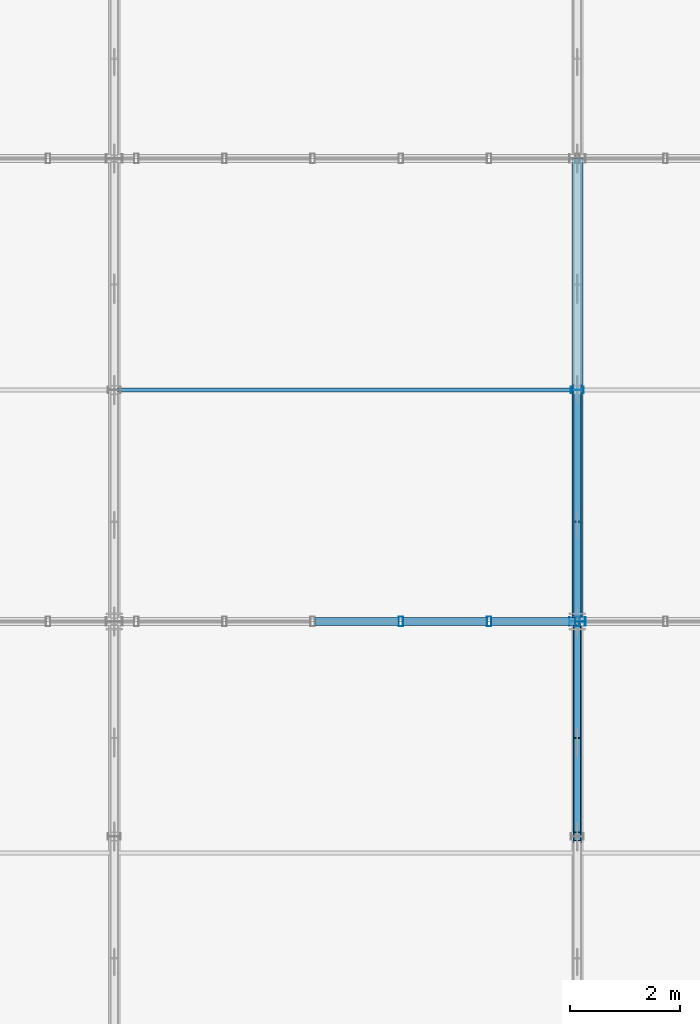
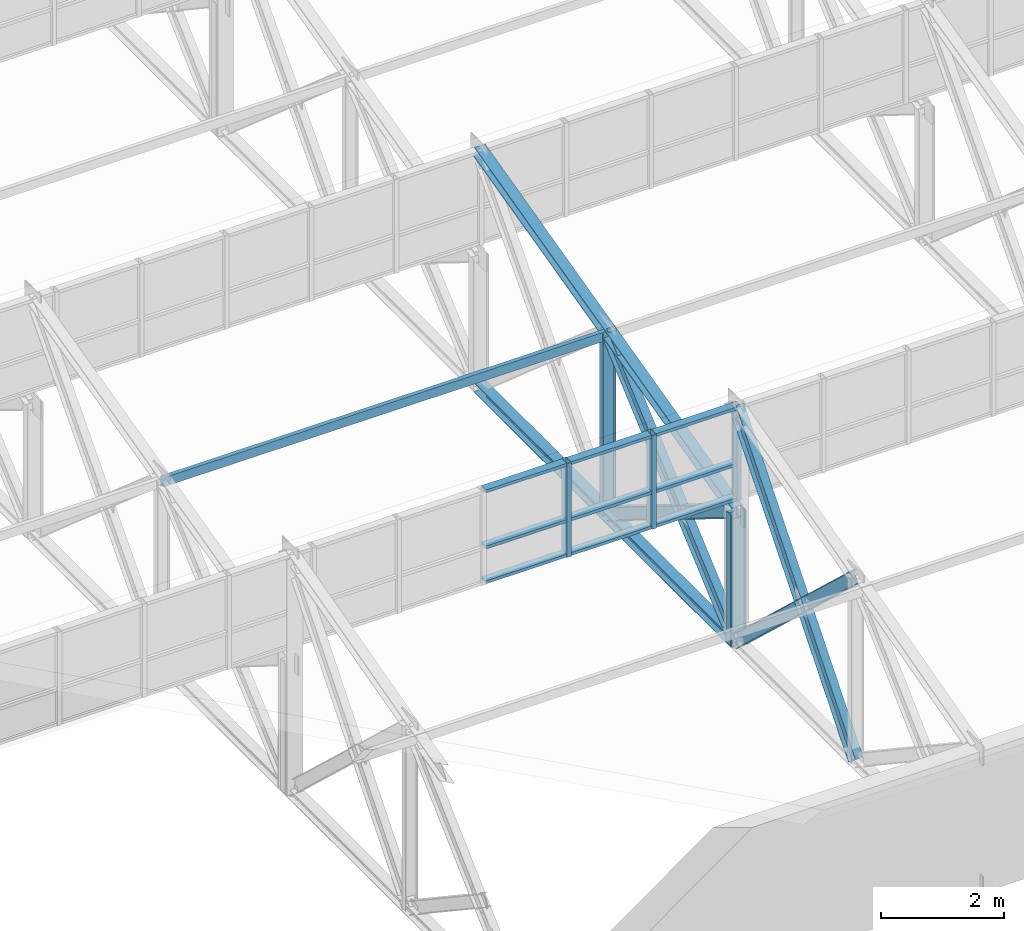
# One storey, part 69 of 123: 23 members, 1 element without a shape of its own.
"""IFC4 building model written with IfcOpenShell, lengths in metres."""

import ifcopenshell
import ifcopenshell.guid

model = None  # the IFC model being written
_history = None  # IfcOwnerHistory: only IFC2X3 demands one
_inside = {}  # id of a spatial element -> (the spatial element, [elements in it])
_under = {}  # id of a project, library or spatial element -> (it, [spatial elements below it])
_declared = {}  # id of a project -> (the project, [libraries it declares])
_typed = {}  # id of a type object -> (the type object, [elements of that type])
_made_of = {}  # id of a material, layer set ... -> (it, [elements and type objects made of it])


def new_model(schema):
    """Start an empty IFC model of exactly this schema.

    Asked for "IFC4X3", IfcOpenShell would pick the latest addendum, in which some entities
    have other attributes; the version numbers below select the first issue.
    IFC2X3 requires an IfcOwnerHistory on every rooted entity: one is made here for all.
    """
    global model, _history
    if schema == "IFC4X3":
        model = ifcopenshell.file(schema_version=(4, 3, 0, 0))
    else:
        model = ifcopenshell.file(schema=schema)
    _inside.clear()
    _under.clear()
    _declared.clear()
    _typed.clear()
    _made_of.clear()
    _history = None
    if model.schema == "IFC2X3":
        org = make("IfcOrganization", Name="unknown")
        user = make(
            "IfcPersonAndOrganization",
            ThePerson=make("IfcPerson", FamilyName="unknown"),
            TheOrganization=org,
        )
        app = make(
            "IfcApplication",
            ApplicationDeveloper=org,
            Version="unknown",
            ApplicationFullName="unknown",
            ApplicationIdentifier="unknown",
        )
        _history = make(
            "IfcOwnerHistory",
            OwningUser=user,
            OwningApplication=app,
            ChangeAction="ADDED",
            CreationDate=0,
        )
    return model


def make(cls, **values):
    """One entity of the class cls with the attributes given. An attribute that is None is left unset."""
    return model.create_entity(
        cls, **{name: value for name, value in values.items() if value is not None}
    )


def rooted(cls, **values):
    """An entity with a GlobalId (a new one), such as an element, a storey or a relation."""
    return make(cls, GlobalId=ifcopenshell.guid.new(), OwnerHistory=_history, **values)


def si_unit(unit_type, name, prefix=None):
    """IfcSIUnit, for example si_unit("LENGTHUNIT", "METRE", prefix="MILLI")."""
    return make("IfcSIUnit", UnitType=unit_type, Prefix=prefix, Name=name)


def assignment(units):
    """IfcUnitAssignment: the units of a project."""
    return None if units is None else make("IfcUnitAssignment", Units=units)


def point(xyz):
    """IfcCartesianPoint."""
    return None if xyz is None else make("IfcCartesianPoint", Coordinates=xyz)


def direction(xyz):
    """IfcDirection."""
    return None if xyz is None else make("IfcDirection", DirectionRatios=xyz)


def frame(location, z_axis=None, x_axis=None):
    """IfcAxis2Placement3D, a coordinate frame: its origin and axes. An axis left out is left unset."""
    return make(
        "IfcAxis2Placement3D",
        Location=point(location),
        Axis=direction(z_axis),
        RefDirection=direction(x_axis),
    )


def frame_2d(location, x_axis=None):
    """IfcAxis2Placement2D, a coordinate frame in the plane: its origin and x axis."""
    return make(
        "IfcAxis2Placement2D", Location=point(location), RefDirection=direction(x_axis)
    )


def origin():
    """The frame at (0, 0, 0) with its axes left unset."""
    return frame((0.0, 0.0, 0.0))


def origin_2d():
    """The frame at (0, 0) in the plane with its x axis left unset."""
    return frame_2d((0.0, 0.0))


def place(relative_to, where):
    """IfcLocalPlacement: puts the frame where relative to a parent placement (None: the world)."""
    return make(
        "IfcLocalPlacement", PlacementRelTo=relative_to, RelativePlacement=where
    )


def context(
    kind, dimensions, precision=None, world=None, true_north=None, identifier=None
):
    """IfcGeometricRepresentationContext, for example the 3D "Model" context."""
    return make(
        "IfcGeometricRepresentationContext",
        ContextIdentifier=identifier,
        ContextType=kind,
        CoordinateSpaceDimension=dimensions,
        Precision=precision,
        WorldCoordinateSystem=world,
        TrueNorth=true_north,
    )


def subcontext(parent, identifier, kind, view, scale=None):
    """IfcGeometricRepresentationSubContext, for example "Body" below "Model"."""
    return make(
        "IfcGeometricRepresentationSubContext",
        ContextIdentifier=identifier,
        ContextType=kind,
        ParentContext=parent,
        TargetScale=scale,
        TargetView=view,
    )


def project(units=None, contexts=None):
    """IfcProject with its units and contexts."""
    return rooted(
        "IfcProject",
        Name="project",
        RepresentationContexts=contexts,
        UnitsInContext=assignment(units),
    )


def spatial(cls, under=None, at=None, **own):
    """A site, building, storey or space (cls), placed at a placement, below another one or the project."""
    s = rooted(cls, ObjectPlacement=at, **own)
    if under is not None:
        _under.setdefault(under.id(), (under, []))[1].append(s)
    return s


def profile(cls, at=None, kind="AREA", **sizes):
    """A parametric profile (cls). Its sizes go by their IFC names, for example OverallWidth=200.0."""
    return make(cls, ProfileType=kind, Position=at, **sizes)


def hollow_rectangle(**sizes):
    """IfcRectangleHollowProfileDef."""
    return profile("IfcRectangleHollowProfileDef", **sizes)


def i_section(**sizes):
    """IfcIShapeProfileDef."""
    return profile("IfcIShapeProfileDef", **sizes)


def extrude(swept, where, along, depth):
    """IfcExtrudedAreaSolid: the profile swept, set in the frame where, extruded along a direction by depth."""
    return make(
        "IfcExtrudedAreaSolid",
        SweptArea=swept,
        Position=where,
        ExtrudedDirection=direction(along),
        Depth=depth,
    )


def shape(context_of_items, identifier, shape_type, items):
    """IfcShapeRepresentation: the items that make up one representation, for example the "Body"."""
    return make(
        "IfcShapeRepresentation",
        ContextOfItems=context_of_items,
        RepresentationIdentifier=identifier,
        RepresentationType=shape_type,
        Items=items,
    )


def material(Name=None, Category=None):
    """IfcMaterial."""
    return make("IfcMaterial", Name=Name, Category=Category)


def layer(
    of_material, thickness, ventilated=None, Name=None, Category=None, Priority=None
):
    """IfcMaterialLayer: one layer of a wall or slab, of a material (None: an air gap)."""
    return make(
        "IfcMaterialLayer",
        Material=of_material,
        LayerThickness=thickness,
        IsVentilated=ventilated,
        Name=Name,
        Category=Category,
        Priority=Priority,
    )


def layer_set(layers, Name=None):
    """IfcMaterialLayerSet."""
    return make("IfcMaterialLayerSet", MaterialLayers=layers, LayerSetName=Name)


def material_profile(
    of_material, cross_section, Name=None, Category=None, Priority=None
):
    """IfcMaterialProfile: a cross section and its material."""
    return make(
        "IfcMaterialProfile",
        Name=Name,
        Material=of_material,
        Profile=cross_section,
        Priority=Priority,
        Category=Category,
    )


def profile_set(profiles, Name=None, composite=None):
    """IfcMaterialProfileSet."""
    return make(
        "IfcMaterialProfileSet",
        Name=Name,
        MaterialProfiles=profiles,
        CompositeProfile=composite,
    )


def made_of(thing, what):
    """Note that an element or type object is made of a material, layer set ...; save() writes the relation."""
    if what is not None:
        _made_of.setdefault(what.id(), (what, []))[1].append(thing)
    return thing


def type_object(cls, material=None, **own):
    """A type object (cls), such as IfcWallType, which elements share."""
    return made_of(rooted(cls, **own), material)


def element(
    cls,
    number,
    at=None,
    inside=None,
    cuts=None,
    type_object=None,
    material=None,
    context=None,
    identifier="Body",
    shape_type=None,
    held_by="IfcProductDefinitionShape",
    body=None,
    shapes=None,
    **own,
):
    """One element of the class cls, such as IfcWall. Its Tag is "e" and its number.

    at: its placement. inside: the storey or other place that contains it. cuts: it is an
    opening in that element (IfcRelVoidsElement). A single representation is given by context,
    identifier, shape_type and body (its items); several are given by shapes. held_by: the class
    of the entity that holds the representations. save() writes the other relations.
    """
    e = rooted(cls, Tag="e%d" % number, ObjectPlacement=at, **own)
    if body is not None:
        shapes = [shape(context, identifier, shape_type, body)]
    if shapes is not None:
        e.Representation = make(held_by, Representations=shapes)
    if inside is not None:
        _inside.setdefault(inside.id(), (inside, []))[1].append(e)
    if cuts is not None:
        rooted(
            "IfcRelVoidsElement", RelatingBuildingElement=cuts, RelatedOpeningElement=e
        )
    if type_object is not None:
        _typed.setdefault(type_object.id(), (type_object, []))[1].append(e)
    return made_of(e, material)


def aggregate(whole, parts):
    """IfcRelAggregates: a whole, such as a stair, and the parts it consists of."""
    return rooted("IfcRelAggregates", RelatingObject=whole, RelatedObjects=parts)


def save(model, path):
    """Write the relations noted so far, then the file.

    IfcRelAggregates (storeys below a building ...), IfcRelContainedInSpatialStructure (elements
    in a storey), IfcRelDefinesByType, IfcRelAssociatesMaterial and IfcRelDeclares: one each for
    every whole, place, type object, material and project.
    """
    for whole, parts in _under.values():
        aggregate(whole, parts)
    for where, things in _inside.values():
        rooted(
            "IfcRelContainedInSpatialStructure",
            RelatedElements=things,
            RelatingStructure=where,
        )
    for kind, things in _typed.values():
        rooted("IfcRelDefinesByType", RelatedObjects=things, RelatingType=kind)
    for what, things in _made_of.values():
        rooted("IfcRelAssociatesMaterial", RelatedObjects=things, RelatingMaterial=what)
    for by, libraries in _declared.values():
        rooted("IfcRelDeclares", RelatingContext=by, RelatedDefinitions=libraries)
    model.write(path)


model = new_model("IFC4")

# Units and contexts
model_context = context("Model", 3, precision=1e-05, world=origin(), true_north=direction((0.0, 1.0)))
body_context = subcontext(model_context, "Body", "Model", "MODEL_VIEW")
ifc_project = project(units=[si_unit("LENGTHUNIT", "METRE"), si_unit("AREAUNIT", "SQUARE_METRE"), si_unit("VOLUMEUNIT", "CUBIC_METRE"), si_unit("PLANEANGLEUNIT", "RADIAN"), si_unit("MASSUNIT", "GRAM", prefix="KILO")], contexts=[model_context])

# Site, building, storey
site_placement = place(None, origin())
site = spatial("IfcSite", under=ifc_project, at=site_placement, CompositionType="ELEMENT")
building_placement = place(site_placement, origin())
building = spatial("IfcBuilding", under=site, at=building_placement, Name="Zayran Congress Hotel", CompositionType="ELEMENT")
storey_placement = place(building_placement, frame((0.0, 0.0, 15.0)))
storey = spatial("IfcBuildingStorey", under=building, at=storey_placement, Name="L03", CompositionType="ELEMENT", Elevation=15.0)

# Members
ifc_material_1 = material(Name="Steel S355", Category="steel")
ifc_material_profile_1 = material_profile(ifc_material_1, i_section(OverallWidth=0.199951171875, OverallDepth=0.199951171875, WebThickness=0.009033203125, FlangeThickness=0.014892578125, at=origin_2d()), Name="HEB 200")
ifc_profile_set_1 = profile_set([ifc_material_profile_1], Name="Steel S355")
member_type_1 = type_object("IfcMemberType", Name="TP-TR-CH2", PredefinedType="CHORD", material=ifc_profile_set_1)
member_1_placement = place(storey_placement, frame((168.0, 17.199951171875, 0.0), z_axis=(0.0, 1.0, 0.0), x_axis=(-1.0, 0.0, 0.0)))
element("IfcMember", 1, at=member_1_placement, inside=storey, type_object=member_type_1, Name="Sawtooth Truss Bottom Chord 706", PredefinedType="CHORD", context=body_context, shape_type="SweptSolid", body=[
    extrude(i_section(OverallWidth=0.199951171875, OverallDepth=0.199951171875, WebThickness=0.009033203125, FlangeThickness=0.014892578125, at=origin_2d()), origin(), (0.0, 0.0, 1.0), 8.400146484375),
])
member_2_placement = place(storey_placement, frame((168.0, 17.199951171875, 2.60009765625), z_axis=(0.0, 0.970299887237, 0.241905206287), x_axis=(-1.0, 0.0, 0.0)))
element("IfcMember", 2, at=member_2_placement, inside=storey, type_object=member_type_1, Name="Sawtooth Truss Top Chord 707", PredefinedType="CHORD", context=body_context, shape_type="SweptSolid", body=[
    extrude(i_section(OverallWidth=0.199951171875, OverallDepth=0.199951171875, WebThickness=0.009033203125, FlangeThickness=0.014892578125, at=origin_2d()), origin(), (0.0, 0.0, 1.0), 8.6572265625),
])
ifc_material_profile_2 = material_profile(ifc_material_1, i_section(OverallWidth=0.14990234375, OverallDepth=0.300048828125, WebThickness=0.007080078125, FlangeThickness=0.0107421875, at=origin_2d()), Name="IPE 300")
ifc_profile_set_2 = profile_set([ifc_material_profile_2], Name="Steel S355")
member_type_2 = type_object("IfcMemberType", Name="TP-TR-BR1", PredefinedType="BRACE", material=ifc_profile_set_2)
member_3_placement = place(storey_placement, frame((168.0, 13.300048828125, 0.0), z_axis=(0.0, 0.639018966279, 0.769190978065), x_axis=(-1.0, 0.0, 0.0)))
element("IfcMember", 3, at=member_3_placement, inside=storey, type_object=member_type_2, Name="Sawtooth Truss Diagonal Bay2 146", PredefinedType="BRACE", context=body_context, shape_type="SweptSolid", body=[
    extrude(i_section(OverallWidth=0.14990234375, OverallDepth=0.300048828125, WebThickness=0.007080078125, FlangeThickness=0.0107421875, at=origin_2d()), origin(), (0.0, 0.0, 1.0), 6.10302734375),
])
member_4_placement = place(storey_placement, frame((168.0, 17.199951171875, 0.0), z_axis=(0.0, 0.755042838954, 0.655675461904), x_axis=(-1.0, 0.0, 0.0)))
element("IfcMember", 4, at=member_4_placement, inside=storey, type_object=member_type_2, Name="Sawtooth Truss Diagonal 708", PredefinedType="BRACE", context=body_context, shape_type="SweptSolid", body=[
    extrude(i_section(OverallWidth=0.14990234375, OverallDepth=0.300048828125, WebThickness=0.007080078125, FlangeThickness=0.0107421875, at=origin_2d()), origin(), (0.0, 0.0, 1.0), 5.5625),
])
member_5_placement = place(storey_placement, frame((168.0, 17.199951171875, 0.0), z_axis=(0.0, 0.0, 1.0), x_axis=(0.0, 1.0, 0.0)))
element("IfcMember", 5, at=member_5_placement, inside=storey, type_object=member_type_2, Name="TRV-01 Sawtooth Truss Strut", PredefinedType="BRACE", context=body_context, shape_type="SweptSolid", body=[
    extrude(i_section(OverallWidth=0.14990234375, OverallDepth=0.300048828125, WebThickness=0.007080078125, FlangeThickness=0.0107421875, at=origin_2d()), origin(), (0.0, 0.0, 1.0), 2.60009765625),
])
ifc_material_profile_3 = material_profile(ifc_material_1, i_section(OverallWidth=0.1201171875, OverallDepth=0.239990234375, WebThickness=0.006103515625, FlangeThickness=0.009765625, at=origin_2d()), Name="IPE 240")
ifc_profile_set_3 = profile_set([ifc_material_profile_3], Name="Steel S355")
member_type_3 = type_object("IfcMemberType", Name="TP-TR-BR2", PredefinedType="BRACE", material=ifc_profile_set_3)
member_6_placement = place(storey_placement, frame((168.0, 13.300048828125, 3.647216796875), z_axis=(0.0, 0.730340857111, -0.683082888407), x_axis=(-1.0, 0.0, 0.0)))
element("IfcMember", 6, at=member_6_placement, inside=storey, type_object=member_type_3, Name="Sawtooth Truss Counter Diagonal Bay2 Upper 147", PredefinedType="BRACE", context=body_context, shape_type="SweptSolid", body=[
    extrude(i_section(OverallWidth=0.1201171875, OverallDepth=0.239990234375, WebThickness=0.006103515625, FlangeThickness=0.009765625, at=origin_2d()), origin(), (0.0, 0.0, 1.0), 2.319580078125),
])
member_7_placement = place(storey_placement, frame((168.0, 15.01611328125, 2.042236328125), z_axis=(0.0, 0.7303896686, -0.683030696237), x_axis=(-1.0, 0.0, 0.0)))
element("IfcMember", 7, at=member_7_placement, inside=storey, type_object=member_type_3, Name="Sawtooth Truss Counter Diagonal Bay2 Lower 148", PredefinedType="BRACE", context=body_context, shape_type="SweptSolid", body=[
    extrude(i_section(OverallWidth=0.1201171875, OverallDepth=0.239990234375, WebThickness=0.006103515625, FlangeThickness=0.009765625, at=origin_2d()), origin(), (0.0, 0.0, 1.0), 2.989990234375),
])
member_8_placement = place(storey_placement, frame((168.0, 17.199951171875, 2.60009765625), z_axis=(0.0, 0.85027534384, -0.526338141938), x_axis=(-1.0, 0.0, 0.0)))
element("IfcMember", 8, at=member_8_placement, inside=storey, type_object=member_type_3, Name="Sawtooth Truss Counter Diagonal Upper 709", PredefinedType="BRACE", context=body_context, shape_type="SweptSolid", body=[
    extrude(i_section(OverallWidth=0.1201171875, OverallDepth=0.239990234375, WebThickness=0.006103515625, FlangeThickness=0.009765625, at=origin_2d()), origin(), (0.0, 0.0, 1.0), 2.041015625),
])
member_9_placement = place(storey_placement, frame((168.0, 18.960693359375, 1.510009765625), z_axis=(0.0, 0.850261519338, -0.526360474137), x_axis=(-1.0, 0.0, 0.0)))
element("IfcMember", 9, at=member_9_placement, inside=storey, type_object=member_type_3, Name="Sawtooth Truss Counter Diagonal Lower 149", PredefinedType="BRACE", context=body_context, shape_type="SweptSolid", body=[
    extrude(i_section(OverallWidth=0.1201171875, OverallDepth=0.239990234375, WebThickness=0.006103515625, FlangeThickness=0.009765625, at=origin_2d()), origin(), (0.0, 0.0, 1.0), 2.868896484375),
])
member_10_placement = place(storey_placement, frame((168.0, 21.39990234375, 0.0), z_axis=(0.0, 0.0, 1.0), x_axis=(0.0, 1.0, 0.0)))
element("IfcMember", 10, at=member_10_placement, inside=storey, type_object=member_type_3, Name="TRV-01 Sawtooth Truss Strut", PredefinedType="BRACE", context=body_context, shape_type="SweptSolid", body=[
    extrude(i_section(OverallWidth=0.1201171875, OverallDepth=0.239990234375, WebThickness=0.006103515625, FlangeThickness=0.009765625, at=origin_2d()), origin(), (0.0, 0.0, 1.0), 3.647216796875),
])
ifc_material_profile_4 = material_profile(ifc_material_1, hollow_rectangle(XDim=0.080078125, YDim=0.179931640625, WallThickness=0.0048828125, at=origin_2d()), Name="RHS 180x80x5")
ifc_profile_set_4 = profile_set([ifc_material_profile_4], Name="Steel S355")
member_type_4 = type_object("IfcMemberType", Name="TP-PR-02", PredefinedType="PURLIN", material=ifc_profile_set_4)
member_11_placement = place(storey_placement, frame((159.60009765625, 21.39990234375, 3.572265625), z_axis=(1.0, 0.0, 0.0), x_axis=(0.0, 1.0, 0.0)))
element("IfcMember", 11, at=member_11_placement, inside=storey, type_object=member_type_4, Name="MEM-PR-V3-0206", PredefinedType="PURLIN", context=body_context, shape_type="SweptSolid", body=[
    extrude(hollow_rectangle(XDim=0.080078125, YDim=0.179931640625, WallThickness=0.0048828125, at=origin_2d()), origin(), (0.0, 0.0, 1.0), 8.39990234375),
])

# Curtain wall, members
ifc_material_2 = material(Name="Anodised aluminium and low-E insulated glass", Category="aluminium")
ifc_layer = layer(ifc_material_2, 0.179931640625)
ifc_layer_set = layer_set([ifc_layer], Name="Anodised aluminium and low-E insulated glass")
curtain_wall_type = type_object("IfcCurtainWallType", Name="CW-V3SAW-L03-CW-V31-32000-1870", PredefinedType="USERDEFINED", material=ifc_layer_set)
curtain_wall_placement = place(storey_placement, origin())
curtain_wall = element("IfcCurtainWall", 12, at=curtain_wall_placement, inside=storey, type_object=curtain_wall_type, Name="CW-V3SAW-1", ObjectType="CURTAIN WALL", PredefinedType="USERDEFINED")
ifc_material_3 = material(Name="Anodised aluminium framing", Category="aluminium")
ifc_material_profile_5 = material_profile(ifc_material_3, hollow_rectangle(XDim=0.080078125, YDim=0.179931640625, WallThickness=0.0048828125, at=origin_2d()), Name="RHS 180x80x5")
ifc_profile_set_5 = profile_set([ifc_material_profile_5], Name="Anodised aluminium framing")
member_type_5 = type_object("IfcMemberType", Name="TP-CWM-01", PredefinedType="MULLION", material=ifc_profile_set_5)
member_12_placement = place(storey_placement, frame((168.0, 17.199951171875, 2.85009765625), z_axis=(0.0, 0.0, 1.0), x_axis=(1.0, 0.0, 0.0)))
member_12 = element("IfcMember", 13, at=member_12_placement, type_object=member_type_5, Name="CW-V3SAW-1-M10", PredefinedType="MULLION", context=body_context, shape_type="SweptSolid", body=[
    extrude(hollow_rectangle(XDim=0.080078125, YDim=0.179931640625, WallThickness=0.0048828125, at=origin_2d()), origin(), (0.0, 0.0, 1.0), 1.869873046875),
])
member_13_placement = place(storey_placement, frame((166.39990234375, 17.199951171875, 2.85009765625), z_axis=(0.0, 0.0, 1.0), x_axis=(1.0, 0.0, 0.0)))
member_13 = element("IfcMember", 14, at=member_13_placement, type_object=member_type_5, Name="CW-V3SAW-1-M11", PredefinedType="MULLION", context=body_context, shape_type="SweptSolid", body=[
    extrude(hollow_rectangle(XDim=0.080078125, YDim=0.179931640625, WallThickness=0.0048828125, at=origin_2d()), origin(), (0.0, 0.0, 1.0), 1.869873046875),
])
member_14_placement = place(storey_placement, frame((164.800048828125, 17.199951171875, 2.85009765625), z_axis=(0.0, 0.0, 1.0), x_axis=(1.0, 0.0, 0.0)))
member_14 = element("IfcMember", 15, at=member_14_placement, type_object=member_type_5, Name="CW-V3SAW-1-M12", PredefinedType="MULLION", context=body_context, shape_type="SweptSolid", body=[
    extrude(hollow_rectangle(XDim=0.080078125, YDim=0.179931640625, WallThickness=0.0048828125, at=origin_2d()), origin(), (0.0, 0.0, 1.0), 1.869873046875),
])
ifc_material_profile_6 = material_profile(ifc_material_3, hollow_rectangle(XDim=0.06005859375, YDim=0.14990234375, WallThickness=0.00390625, at=origin_2d()), Name="RHS 150x60x4")
ifc_profile_set_6 = profile_set([ifc_material_profile_6], Name="Anodised aluminium framing")
member_type_6 = type_object("IfcMemberType", Name="TP-CWT-01", PredefinedType="USERDEFINED", material=ifc_profile_set_6)
member_15_placement = place(storey_placement, frame((167.9599609375, 17.199951171875, 2.8798828125), z_axis=(-1.0, 0.0, 0.0), x_axis=(0.0, 0.0, 1.0)))
member_15 = element("IfcMember", 16, at=member_15_placement, type_object=member_type_6, Name="CW-V3SAW-1-T10-0", ObjectType="TRANSOM", PredefinedType="USERDEFINED", context=body_context, shape_type="SweptSolid", body=[
    extrude(hollow_rectangle(XDim=0.06005859375, YDim=0.14990234375, WallThickness=0.00390625, at=origin_2d()), origin(), (0.0, 0.0, 1.0), 1.52001953125),
])
member_16_placement = place(storey_placement, frame((167.9599609375, 17.199951171875, 3.570068359375), z_axis=(-1.0, 0.0, 0.0), x_axis=(0.0, 0.0, 1.0)))
member_16 = element("IfcMember", 17, at=member_16_placement, type_object=member_type_6, Name="CW-V3SAW-1-T10-1", ObjectType="TRANSOM", PredefinedType="USERDEFINED", context=body_context, shape_type="SweptSolid", body=[
    extrude(hollow_rectangle(XDim=0.06005859375, YDim=0.14990234375, WallThickness=0.00390625, at=origin_2d()), origin(), (0.0, 0.0, 1.0), 1.52001953125),
])
member_17_placement = place(storey_placement, frame((167.9599609375, 17.199951171875, 4.68994140625), z_axis=(-1.0, 0.0, 0.0), x_axis=(0.0, 0.0, 1.0)))
member_17 = element("IfcMember", 18, at=member_17_placement, type_object=member_type_6, Name="CW-V3SAW-1-T10-2", ObjectType="TRANSOM", PredefinedType="USERDEFINED", context=body_context, shape_type="SweptSolid", body=[
    extrude(hollow_rectangle(XDim=0.06005859375, YDim=0.14990234375, WallThickness=0.00390625, at=origin_2d()), origin(), (0.0, 0.0, 1.0), 1.52001953125),
])
member_18_placement = place(storey_placement, frame((166.360107421875, 17.199951171875, 2.8798828125), z_axis=(-1.0, 0.0, 0.0), x_axis=(0.0, 0.0, 1.0)))
member_18 = element("IfcMember", 19, at=member_18_placement, type_object=member_type_6, Name="CW-V3SAW-1-T11-0", ObjectType="TRANSOM", PredefinedType="USERDEFINED", context=body_context, shape_type="SweptSolid", body=[
    extrude(hollow_rectangle(XDim=0.06005859375, YDim=0.14990234375, WallThickness=0.00390625, at=origin_2d()), origin(), (0.0, 0.0, 1.0), 1.52001953125),
])
member_19_placement = place(storey_placement, frame((166.360107421875, 17.199951171875, 3.570068359375), z_axis=(-1.0, 0.0, 0.0), x_axis=(0.0, 0.0, 1.0)))
member_19 = element("IfcMember", 20, at=member_19_placement, type_object=member_type_6, Name="CW-V3SAW-1-T11-1", ObjectType="TRANSOM", PredefinedType="USERDEFINED", context=body_context, shape_type="SweptSolid", body=[
    extrude(hollow_rectangle(XDim=0.06005859375, YDim=0.14990234375, WallThickness=0.00390625, at=origin_2d()), origin(), (0.0, 0.0, 1.0), 1.52001953125),
])
member_20_placement = place(storey_placement, frame((166.360107421875, 17.199951171875, 4.68994140625), z_axis=(-1.0, 0.0, 0.0), x_axis=(0.0, 0.0, 1.0)))
member_20 = element("IfcMember", 21, at=member_20_placement, type_object=member_type_6, Name="CW-V3SAW-1-T11-2", ObjectType="TRANSOM", PredefinedType="USERDEFINED", context=body_context, shape_type="SweptSolid", body=[
    extrude(hollow_rectangle(XDim=0.06005859375, YDim=0.14990234375, WallThickness=0.00390625, at=origin_2d()), origin(), (0.0, 0.0, 1.0), 1.52001953125),
])
member_21_placement = place(storey_placement, frame((164.760009765625, 17.199951171875, 2.8798828125), z_axis=(-1.0, 0.0, 0.0), x_axis=(0.0, 0.0, 1.0)))
member_21 = element("IfcMember", 22, at=member_21_placement, type_object=member_type_6, Name="CW-V3SAW-1-T12-0", ObjectType="TRANSOM", PredefinedType="USERDEFINED", context=body_context, shape_type="SweptSolid", body=[
    extrude(hollow_rectangle(XDim=0.06005859375, YDim=0.14990234375, WallThickness=0.00390625, at=origin_2d()), origin(), (0.0, 0.0, 1.0), 1.52001953125),
])
member_22_placement = place(storey_placement, frame((164.760009765625, 17.199951171875, 3.570068359375), z_axis=(-1.0, 0.0, 0.0), x_axis=(0.0, 0.0, 1.0)))
member_22 = element("IfcMember", 23, at=member_22_placement, type_object=member_type_6, Name="CW-V3SAW-1-T12-1", ObjectType="TRANSOM", PredefinedType="USERDEFINED", context=body_context, shape_type="SweptSolid", body=[
    extrude(hollow_rectangle(XDim=0.06005859375, YDim=0.14990234375, WallThickness=0.00390625, at=origin_2d()), origin(), (0.0, 0.0, 1.0), 1.52001953125),
])
member_23_placement = place(storey_placement, frame((164.760009765625, 17.199951171875, 4.68994140625), z_axis=(-1.0, 0.0, 0.0), x_axis=(0.0, 0.0, 1.0)))
member_23 = element("IfcMember", 24, at=member_23_placement, type_object=member_type_6, Name="CW-V3SAW-1-T12-2", ObjectType="TRANSOM", PredefinedType="USERDEFINED", context=body_context, shape_type="SweptSolid", body=[
    extrude(hollow_rectangle(XDim=0.06005859375, YDim=0.14990234375, WallThickness=0.00390625, at=origin_2d()), origin(), (0.0, 0.0, 1.0), 1.52001953125),
])
aggregate(curtain_wall, [member_12, member_13, member_14, member_15, member_16, member_17, member_18, member_19, member_20, member_21, member_22, member_23])

save(model, "model.ifc")
